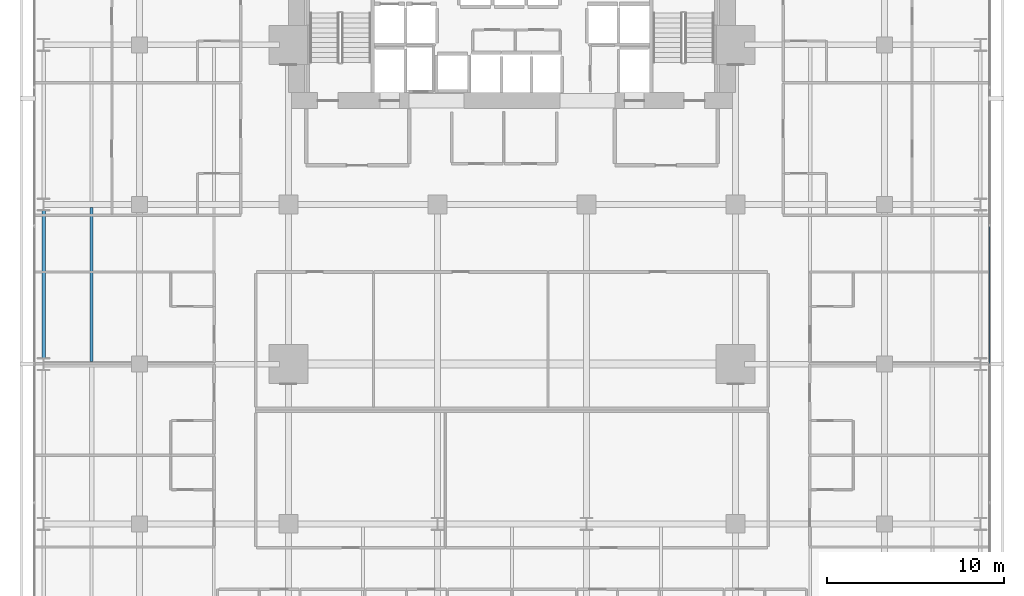
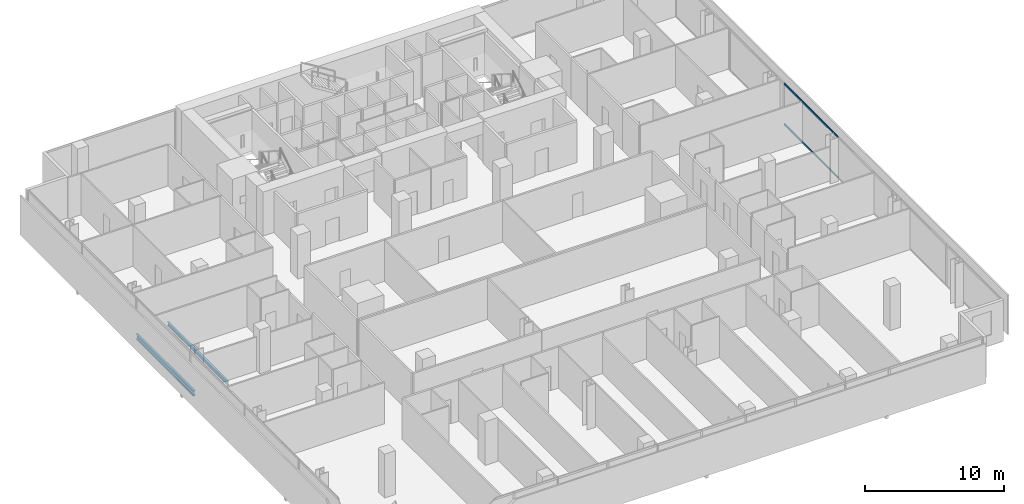
# One storey, part 20 of 40: 2 beams, 2 members, 1 element without a shape of its own.
"""IFC4 building model written with IfcOpenShell, lengths in metres."""

from ifc_helpers import new_model, si_unit, direction, frame, origin, origin_2d, place, context, subcontext, project, spatial, hollow_rectangle, i_section, extrude, material, layer, layer_set, material_profile, profile_set, type_object, element, aggregate, save


model = new_model("IFC4")

# Units and contexts
model_context = context("Model", 3, precision=1e-05, world=origin(), true_north=direction((0.0, 1.0)))
body_context = subcontext(model_context, "Body", "Model", "MODEL_VIEW")
ifc_project = project(units=[si_unit("LENGTHUNIT", "METRE"), si_unit("AREAUNIT", "SQUARE_METRE"), si_unit("VOLUMEUNIT", "CUBIC_METRE"), si_unit("PLANEANGLEUNIT", "RADIAN"), si_unit("MASSUNIT", "GRAM", prefix="KILO")], contexts=[model_context])

# Site, building, storey
site_placement = place(None, origin())
site = spatial("IfcSite", under=ifc_project, at=site_placement, CompositionType="ELEMENT")
building_placement = place(site_placement, origin())
building = spatial("IfcBuilding", under=site, at=building_placement, Name="Maruvema Waterfront Hotel and Observation Tower", CompositionType="ELEMENT")
storey_placement = place(building_placement, frame((0.0, 0.0, 50.050048828125)))
storey = spatial("IfcBuildingStorey", under=building, at=storey_placement, Name="L11", CompositionType="ELEMENT", Elevation=50.050048828125)

# Curtain wall, members
ifc_material_1 = material(Name="Anodised bronze aluminium and solar-control low-E IGU", Category="aluminium")
ifc_layer = layer(ifc_material_1, 0.159912109375, Name="Zone 1 Bronze Inner Thermal Curtain Wall System CW-02")
ifc_layer_set = layer_set([ifc_layer], Name="Anodised bronze aluminium and solar-control low-E IGU")
curtain_wall_type = type_object("IfcCurtainWallType", Name="Zone 1 Bronze Inner Thermal Curtain Wall System CW-02", PredefinedType="USERDEFINED", material=ifc_layer_set)
curtain_wall_placement = place(storey_placement, origin())
curtain_wall = element("IfcCurtainWall", 1, at=curtain_wall_placement, inside=storey, type_object=curtain_wall_type, Name="L11 Curtain Wall CW-L11-E", ObjectType="UNITISED CURTAIN WALL", PredefinedType="USERDEFINED")
ifc_material_2 = material(Name="Anodised architectural bronze aluminium", Category="aluminium")
ifc_material_profile_1 = material_profile(ifc_material_2, hollow_rectangle(XDim=0.070068359375, YDim=0.14990234375, WallThickness=0.00390625, at=origin_2d()), Name="ALU-T70x150")
ifc_profile_set_1 = profile_set([ifc_material_profile_1], Name="Anodised architectural bronze aluminium")
member_type = type_object("IfcMemberType", Name="Curtain Wall Horizontal Transom ALU-T70x150", PredefinedType="USERDEFINED", material=ifc_profile_set_1)
member_1_placement = place(storey_placement, frame((64.719970703125, 27.030029296875, 0.030029296875), z_axis=(0.0, 1.0, 0.0), x_axis=(-1.0, 0.0, 0.0)))
member_1 = element("IfcMember", 2, at=member_1_placement, type_object=member_type, Name="CW-02 transom 4.1", ObjectType="TRANSOM", PredefinedType="USERDEFINED", context=body_context, shape_type="SweptSolid", body=[
    extrude(hollow_rectangle(XDim=0.070068359375, YDim=0.14990234375, WallThickness=0.00390625, at=origin_2d()), origin(), (0.0, 0.0, 1.0), 7.739990234375),
])
member_2_placement = place(storey_placement, frame((64.719970703125, 27.030029296875, 3.579833984375), z_axis=(0.0, 1.0, 0.0), x_axis=(-1.0, 0.0, 0.0)))
member_2 = element("IfcMember", 3, at=member_2_placement, type_object=member_type, Name="CW-02 transom 4.2", ObjectType="TRANSOM", PredefinedType="USERDEFINED", context=body_context, shape_type="SweptSolid", body=[
    extrude(hollow_rectangle(XDim=0.070068359375, YDim=0.14990234375, WallThickness=0.00390625, at=origin_2d()), origin(), (0.0, 0.0, 1.0), 7.739990234375),
])
aggregate(curtain_wall, [member_1, member_2])

# Beams
ifc_material_3 = material(Name="Steel ASTM A572 Grade 50", Category="steel")
ifc_material_profile_2 = material_profile(ifc_material_3, i_section(OverallWidth=0.18994140625, OverallDepth=0.45703125, WebThickness=0.009033203125, FlangeThickness=0.014404296875, FilletRadius=0.014892578125, at=origin_2d()), Name="W460x74.0")
ifc_profile_set_2 = profile_set([ifc_material_profile_2], Name="Steel ASTM A572 Grade 50")
beam_type_1 = type_object("IfcBeamType", Name="Perimeter Spandrel Beam W460x74.0", PredefinedType="SPANDREL", material=ifc_profile_set_2)
beam_1_placement = place(storey_placement, frame((11.39990234375, 27.35009765625, -0.468505859375), z_axis=(0.0, 1.0, 0.0), x_axis=(-1.0, 0.0, 0.0)))
element("IfcBeam", 4, at=beam_1_placement, inside=storey, type_object=beam_type_1, Name="L11 Floor Girder NS-03", PredefinedType="SPANDREL", context=body_context, shape_type="SweptSolid", body=[
    extrude(i_section(OverallWidth=0.18994140625, OverallDepth=0.45703125, WebThickness=0.009033203125, FlangeThickness=0.014404296875, FilletRadius=0.014892578125, at=origin_2d()), origin(), (0.0, 0.0, 1.0), 8.2998046875),
])
ifc_material_4 = material(Name="Steel ASTM A572 Grade 50", Category="steel")
ifc_material_profile_3 = material_profile(ifc_material_4, i_section(OverallWidth=0.1669921875, OverallDepth=0.31689453125, WebThickness=0.007568359375, FlangeThickness=0.01318359375, FilletRadius=0.012939453125, at=origin_2d()), Name="W310x52.0")
ifc_profile_set_3 = profile_set([ifc_material_profile_3], Name="Steel ASTM A572 Grade 50")
beam_type_2 = type_object("IfcBeamType", Name="Secondary Floor Joist W310x52.0", PredefinedType="JOIST", material=ifc_profile_set_3)
beam_2_placement = place(storey_placement, frame((14.10009765625, 27.16357421875, -0.3984375), z_axis=(0.0, 1.0, 0.0), x_axis=(-1.0, 0.0, 0.0)))
element("IfcBeam", 5, at=beam_2_placement, inside=storey, type_object=beam_type_2, Name="L11 Secondary Floor Joist JS-03", PredefinedType="JOIST", context=body_context, shape_type="SweptSolid", body=[
    extrude(i_section(OverallWidth=0.1669921875, OverallDepth=0.31689453125, WebThickness=0.007568359375, FlangeThickness=0.01318359375, FilletRadius=0.012939453125, at=origin_2d()), origin(), (0.0, 0.0, 1.0), 8.6728515625),
])

save(model, "model.ifc")
